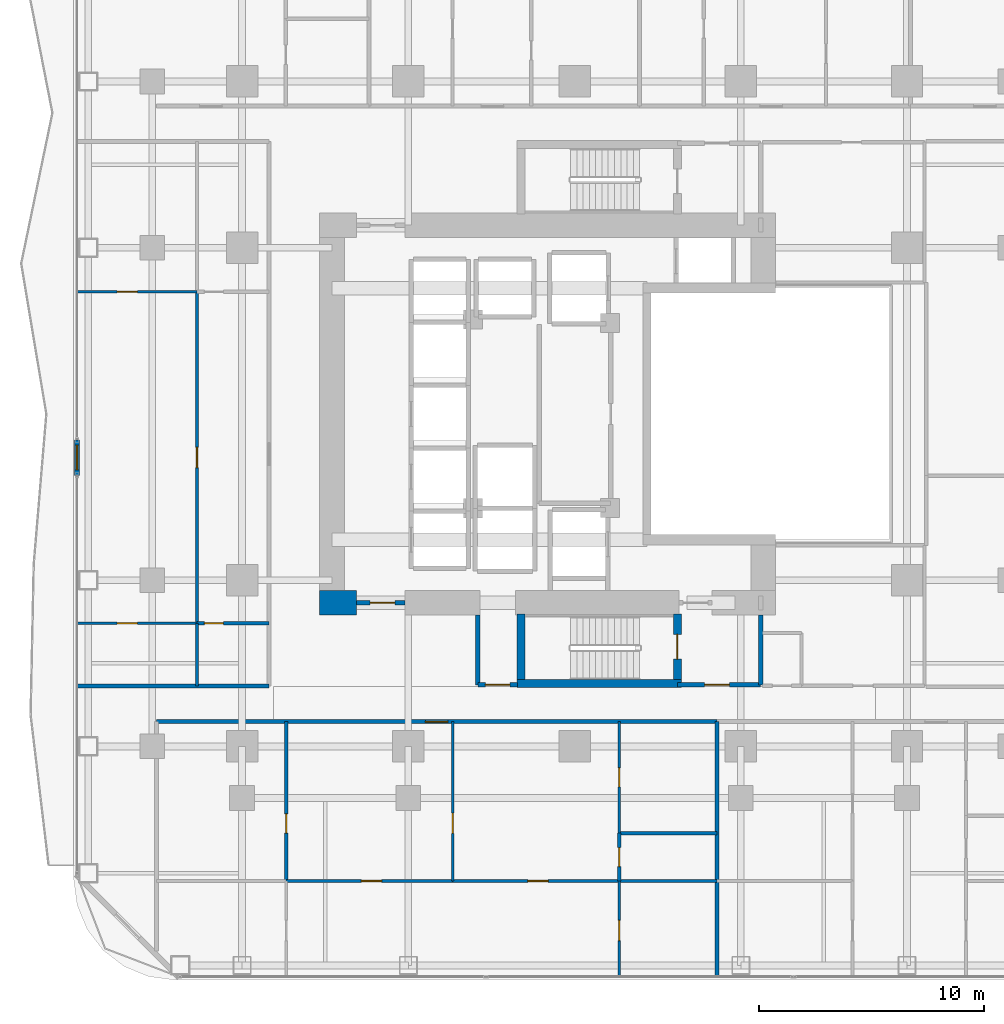
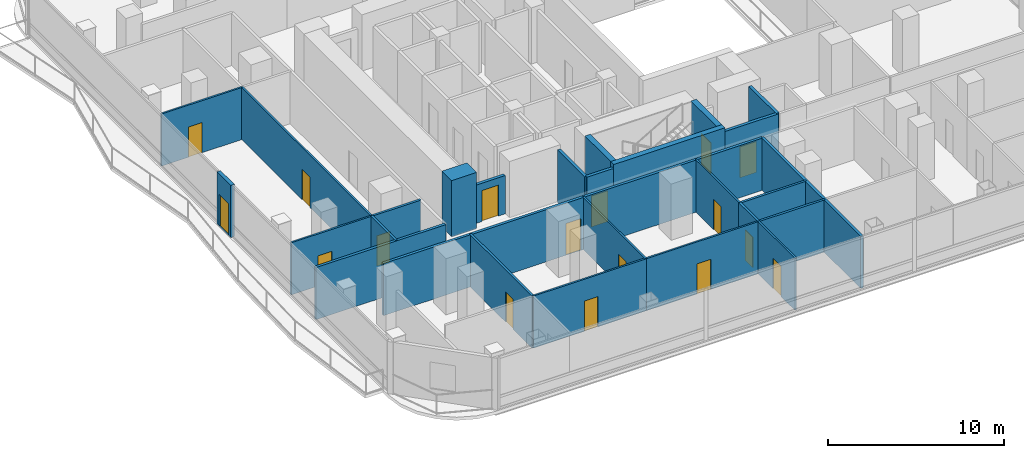
# One storey, part 20 of 27: 27 walls, 17 doors, 17 openings.
"""IFC4 building model written with IfcOpenShell, lengths in metres."""

from ifc_helpers import new_model, si_unit, direction, frame, frame_2d, origin, place, context, subcontext, project, spatial, rectangle, extrude, material, layer, layer_set, type_object, element, fill, save


model = new_model("IFC4")

# Units and contexts
model_context = context("Model", 3, precision=1e-05, world=origin(), true_north=direction((0.0, 1.0)))
body_context = subcontext(model_context, "Body", "Model", "MODEL_VIEW")
ifc_project = project(units=[si_unit("LENGTHUNIT", "METRE"), si_unit("AREAUNIT", "SQUARE_METRE"), si_unit("VOLUMEUNIT", "CUBIC_METRE"), si_unit("PLANEANGLEUNIT", "RADIAN"), si_unit("MASSUNIT", "GRAM", prefix="KILO")], contexts=[model_context])

# Site, building, storey
site_placement = place(None, origin())
site = spatial("IfcSite", under=ifc_project, at=site_placement, CompositionType="ELEMENT")
building_placement = place(site_placement, origin())
building = spatial("IfcBuilding", under=site, at=building_placement, Name="Khorvyn Point Tower", CompositionType="ELEMENT")
storey_placement = place(building_placement, frame((0.0, 0.0, 50.10009765625)))
storey = spatial("IfcBuildingStorey", under=building, at=storey_placement, Name="L13", CompositionType="ELEMENT", Elevation=50.10009765625)

# Wall, opening, door
ifc_material_1 = material(Name="Double acoustic gypsum on twin steel stud", Category="steel")
ifc_layer_1 = layer(ifc_material_1, 0.179931640625)
ifc_layer_set_1 = layer_set([ifc_layer_1], Name="Acoustic Double-Stud Apartment Demising Wall 180")
wall_type_1 = type_object("IfcWallType", Name="Acoustic Double-Stud Apartment Demising Wall 180", PredefinedType="PARTITIONING", material=ifc_layer_set_1)
wall_1_placement = place(storey_placement, frame((-18.6201171875, -13.699951171875, 0.0), z_axis=(0.0, 0.0, 1.0), x_axis=(1.0, 0.0, 0.0)))
wall_1 = element("IfcWall", 1, at=wall_1_placement, inside=storey, type_object=wall_type_1, Name="Wall", PredefinedType="PARTITIONING", context=body_context, shape_type="SweptSolid", body=[
    extrude(rectangle(XDim=24.963134765625, YDim=0.179931640625, at=frame_2d((12.4814453125, 0.0))), origin(), (0.0, 0.0, 1.0), 3.619873046875),
])
opening_1_placement = place(wall_1_placement, frame((11.9814453125, 0.0, 0.0)))
opening_1 = element("IfcOpeningElement", 2, at=opening_1_placement, cuts=wall_1, Name="Opening ID-AP60", PredefinedType="OPENING", context=body_context, shape_type="SweptSolid", body=[
    extrude(rectangle(XDim=1.0, YDim=2.199951171875, at=frame_2d((0.5, 1.10009765625))), frame((0.0, 0.099853515625, 0.0), z_axis=(0.0, -1.0, 0.0), x_axis=(1.0, 0.0, 0.0)), (0.0, 0.0, 1.0), 0.199951171875),
])
ifc_material_2 = material(Name="Engineered hardwood fire-rated leaf", Category="wood")
door_type_1 = type_object("IfcDoorType", Name="Acoustic Solid-Core Timber Apartment Entrance Door 1000x2200", OperationType="NOTDEFINED", PredefinedType="DOOR", material=ifc_material_2)
door_1_placement = place(opening_1_placement, origin())
door_1 = element("IfcDoor", 3, at=door_1_placement, inside=storey, type_object=door_type_1, Name="Door", OperationType="SINGLE_SWING_RIGHT", OverallHeight=2.199951171875, OverallWidth=1.0, PredefinedType="DOOR", context=body_context, shape_type="SweptSolid", body=[
    extrude(rectangle(XDim=1.0, YDim=2.199951171875, at=frame_2d((0.5, 1.10009765625))), frame((0.0, 0.02490234375, 0.0), z_axis=(0.0, -1.0, 0.0), x_axis=(1.0, 0.0, 0.0)), (0.0, 0.0, 1.0), 0.050048828125),
])
fill(opening_1, door_1)

# Walls
wall_2_placement = place(storey_placement, frame((6.343017578125, -25.030029296875, 0.0), z_axis=(0.0, 0.0, 1.0), x_axis=(0.0, 1.0, 0.0)))
element("IfcWall", 4, at=wall_2_placement, inside=storey, type_object=wall_type_1, Name="Wall", PredefinedType="PARTITIONING", context=body_context, shape_type="SweptSolid", body=[
    extrude(rectangle(XDim=11.330078125, YDim=0.179931640625, at=frame_2d((5.6650390625, 0.0))), origin(), (0.0, 0.0, 1.0), 3.619873046875),
])
wall_3_placement = place(storey_placement, frame((-22.1298828125, -12.1201171875, 0.0), z_axis=(0.0, 0.0, 1.0), x_axis=(1.0, 0.0, 0.0)))
element("IfcWall", 5, at=wall_3_placement, inside=storey, type_object=wall_type_1, Name="Wall", PredefinedType="PARTITIONING", context=body_context, shape_type="SweptSolid", body=[
    extrude(rectangle(XDim=8.52978515625, YDim=0.179931640625, at=frame_2d((4.264892578125, 0.0))), origin(), (0.0, 0.0, 1.0), 3.619873046875),
])

# Wall, opening, door
ifc_material_3 = material(Name="Pale anodised aluminium rainscreen on steel stud", Category="steel")
ifc_layer_2 = layer(ifc_material_3, 0.239990234375)
ifc_layer_set_2 = layer_set([ifc_layer_2], Name="Anodised Aluminium Insulated Corner Spandrel Wall 240")
wall_type_2 = type_object("IfcWallType", Name="Anodised Aluminium Insulated Corner Spandrel Wall 240", PredefinedType="SOLIDWALL", material=ifc_layer_set_2)
wall_4_placement = place(storey_placement, frame((-22.14990234375, -2.73193359375, 0.0), z_axis=(0.0, 0.0, 1.0), x_axis=(0.0, 1.0, 0.0)))
wall_4 = element("IfcWall", 6, at=wall_4_placement, inside=storey, type_object=wall_type_2, Name="L13 West Outdoor Threshold Wall", PredefinedType="SOLIDWALL", context=body_context, shape_type="SweptSolid", body=[
    extrude(rectangle(XDim=1.579833984375, YDim=0.239990234375, at=frame_2d((0.7900390625, 0.0))), origin(), (0.0, 0.0, 1.0), 3.619873046875),
])
opening_2_placement = place(wall_4_placement, frame((0.239990234375, 0.0, 0.0)))
opening_2 = element("IfcOpeningElement", 7, at=opening_2_placement, cuts=wall_4, Name="Opening BD-1122", PredefinedType="OPENING", context=body_context, shape_type="SweptSolid", body=[
    extrude(rectangle(XDim=1.10009765625, YDim=2.199951171875, at=frame_2d((0.550048828125, 1.10009765625))), frame((0.0, 0.1298828125, 0.0), z_axis=(0.0, -1.0, 0.0), x_axis=(1.0, 0.0, 0.0)), (0.0, 0.0, 1.0), 0.260009765625),
])
ifc_material_4 = material(Name="Anodised aluminium 6063-T6 and laminated Low-E glass", Category="aluminium")
door_type_2 = type_object("IfcDoorType", Name="Glazed Balcony and Terrace Threshold Door 1100x2200", OperationType="NOTDEFINED", PredefinedType="DOOR", material=ifc_material_4)
door_2_placement = place(opening_2_placement, origin())
door_2 = element("IfcDoor", 8, at=door_2_placement, inside=storey, type_object=door_type_2, Name="L13 West Glazed Balcony Outdoor Door", OperationType="SINGLE_SWING_RIGHT", OverallHeight=2.199951171875, OverallWidth=1.10009765625, PredefinedType="DOOR", context=body_context, shape_type="SweptSolid", body=[
    extrude(rectangle(XDim=1.10009765625, YDim=2.199951171875, at=frame_2d((0.550048828125, 1.10009765625))), frame((0.0, 0.02490234375, 0.0), z_axis=(0.0, -1.0, 0.0), x_axis=(1.0, 0.0, 0.0)), (0.0, 0.0, 1.0), 0.050048828125),
])
fill(opening_2, door_2)

ifc_material_5 = material(Name="Concrete C40/50", Category="concrete")
ifc_layer_3 = layer(ifc_material_5, 0.199951171875)
ifc_layer_set_3 = layer_set([ifc_layer_3], Name="Concrete C40/50 Fire-Lobby Compartment Wall 200")
wall_type_3 = type_object("IfcWallType", Name="Concrete C40/50 Fire-Lobby Compartment Wall 200", PredefinedType="SOLIDWALL", material=ifc_layer_set_3)
wall_5_placement = place(storey_placement, frame((4.580078125, -12.06005859375, 0.0), z_axis=(0.0, 0.0, 1.0), x_axis=(1.0, 0.0, 0.0)))
wall_5 = element("IfcWall", 9, at=wall_5_placement, inside=storey, type_object=wall_type_3, Name="Wall", PredefinedType="SOLIDWALL", context=body_context, shape_type="SweptSolid", body=[
    extrude(rectangle(XDim=3.699951171875, YDim=0.199951171875, at=frame_2d((1.85009765625, 0.0))), origin(), (0.0, 0.0, 1.0), 3.619873046875),
])
opening_3_placement = place(wall_5_placement, frame((1.21240234375, 0.0, 0.0)))
opening_3 = element("IfcOpeningElement", 10, at=opening_3_placement, cuts=wall_5, Name="Opening ID-FL90", PredefinedType="OPENING", context=body_context, shape_type="SweptSolid", body=[
    extrude(rectangle(XDim=1.10009765625, YDim=2.14990234375, at=frame_2d((0.550048828125, 1.074951171875))), frame((0.0, 0.10986328125, 0.0), z_axis=(0.0, -1.0, 0.0), x_axis=(1.0, 0.0, 0.0)), (0.0, 0.0, 1.0), 0.219970703125),
])
ifc_material_6 = material(Name="Galvanised powder-coated steel", Category="steel")
door_type_3 = type_object("IfcDoorType", Name="Fire-Rated Steel Lobby and Stair Door 1100x2150", OperationType="NOTDEFINED", PredefinedType="DOOR", material=ifc_material_6)
door_3_placement = place(opening_3_placement, origin())
door_3 = element("IfcDoor", 11, at=door_3_placement, inside=storey, type_object=door_type_3, Name="Door", OperationType="SINGLE_SWING_RIGHT", OverallHeight=2.14990234375, OverallWidth=1.10009765625, PredefinedType="DOOR", context=body_context, shape_type="SweptSolid", body=[
    extrude(rectangle(XDim=1.10009765625, YDim=2.14990234375, at=frame_2d((0.550048828125, 1.074951171875))), frame((0.0, 0.02490234375, 0.0), z_axis=(0.0, -1.0, 0.0), x_axis=(1.0, 0.0, 0.0)), (0.0, 0.0, 1.0), 0.050048828125),
])
fill(opening_3, door_3)

wall_6_placement = place(storey_placement, frame((-9.699951171875, -8.39990234375, 0.0), z_axis=(0.0, 0.0, 1.0), x_axis=(1.0, 0.0, 0.0)))
wall_6 = element("IfcWall", 12, at=wall_6_placement, inside=storey, type_object=wall_type_3, Name="Wall", PredefinedType="SOLIDWALL", context=body_context, shape_type="SweptSolid", body=[
    extrude(rectangle(XDim=2.14990234375, YDim=0.199951171875, at=frame_2d((1.074951171875, 0.0))), origin(), (0.0, 0.0, 1.0), 2.659912109375),
])
opening_4_placement = place(wall_6_placement, frame((0.597900390625, 0.0, 0.0)))
opening_4 = element("IfcOpeningElement", 13, at=opening_4_placement, cuts=wall_6, Name="Opening ID-FL90", PredefinedType="OPENING", context=body_context, shape_type="SweptSolid", body=[
    extrude(rectangle(XDim=1.10009765625, YDim=2.14990234375, at=frame_2d((0.550048828125, 1.074951171875))), frame((0.0, 0.10986328125, 0.0), z_axis=(0.0, -1.0, 0.0), x_axis=(1.0, 0.0, 0.0)), (0.0, 0.0, 1.0), 0.219970703125),
])
door_4_placement = place(opening_4_placement, origin())
door_4 = element("IfcDoor", 14, at=door_4_placement, inside=storey, type_object=door_type_3, Name="Door", OperationType="SINGLE_SWING_LEFT", OverallHeight=2.14990234375, OverallWidth=1.10009765625, PredefinedType="DOOR", context=body_context, shape_type="SweptSolid", body=[
    extrude(rectangle(XDim=1.10009765625, YDim=2.14990234375, at=frame_2d((0.550048828125, 1.074951171875))), frame((0.0, 0.02490234375, 0.0), z_axis=(0.0, -1.0, 0.0), x_axis=(1.0, 0.0, 0.0)), (0.0, 0.0, 1.0), 0.050048828125),
])
fill(opening_4, door_4)

wall_7_placement = place(storey_placement, frame((-4.300048828125, -12.06005859375, 0.0), z_axis=(0.0, 0.0, 1.0), x_axis=(1.0, 0.0, 0.0)))
wall_7 = element("IfcWall", 15, at=wall_7_placement, inside=storey, type_object=wall_type_3, Name="Wall", PredefinedType="SOLIDWALL", context=body_context, shape_type="SweptSolid", body=[
    extrude(rectangle(XDim=1.75, YDim=0.199951171875, at=frame_2d((0.875, 0.0))), origin(), (0.0, 0.0, 1.0), 3.619873046875),
])
opening_5_placement = place(wall_7_placement, frame((0.324951171875, 0.0, 0.0)))
opening_5 = element("IfcOpeningElement", 16, at=opening_5_placement, cuts=wall_7, Name="Opening ID-FL90", PredefinedType="OPENING", context=body_context, shape_type="SweptSolid", body=[
    extrude(rectangle(XDim=1.10009765625, YDim=2.14990234375, at=frame_2d((0.550048828125, 1.074951171875))), frame((0.0, 0.10986328125, 0.0), z_axis=(0.0, -1.0, 0.0), x_axis=(1.0, 0.0, 0.0)), (0.0, 0.0, 1.0), 0.219970703125),
])
door_5_placement = place(opening_5_placement, origin())
door_5 = element("IfcDoor", 17, at=door_5_placement, inside=storey, type_object=door_type_3, Name="Door", OperationType="SINGLE_SWING_LEFT", OverallHeight=2.14990234375, OverallWidth=1.10009765625, PredefinedType="DOOR", context=body_context, shape_type="SweptSolid", body=[
    extrude(rectangle(XDim=1.10009765625, YDim=2.14990234375, at=frame_2d((0.550048828125, 1.074951171875))), frame((0.0, 0.02490234375, 0.0), z_axis=(0.0, -1.0, 0.0), x_axis=(1.0, 0.0, 0.0)), (0.0, 0.0, 1.0), 0.050048828125),
])
fill(opening_5, door_5)

# Walls
for number, where, z_axis, x_axis, name in (
    (18, (8.280029296875, -12.06005859375, 0.0), (0.0, 0.0, 1.0), (0.0, 1.0, 0.0), "Wall"),
    (19, (-4.300048828125, -12.06005859375, 0.0), (0.0, 0.0, 1.0), (0.0, 1.0, 0.0), "Wall"),
):
    element("IfcWall", number, at=place(storey_placement, frame(where, z_axis=z_axis, x_axis=x_axis)), inside=storey, type_object=wall_type_3, Name=name, PredefinedType="SOLIDWALL", context=body_context, shape_type="SweptSolid", body=[
        extrude(rectangle(XDim=3.110107421875, YDim=0.199951171875, at=frame_2d((1.55517578125, 0.0))), origin(), (0.0, 0.0, 1.0), 3.619873046875),
    ])
ifc_layer_4 = layer(ifc_material_5, 0.35009765625)
ifc_layer_set_4 = layer_set([ifc_layer_4], Name="Concrete C40/50 Stair Shaft Structural Wall 350")
wall_type_4 = type_object("IfcWallType", Name="Concrete C40/50 Stair Shaft Structural Wall 350", PredefinedType="SHEAR", material=ifc_layer_set_4)
wall_8_placement = place(storey_placement, frame((-2.554931640625, -12.0, 0.0), z_axis=(0.0, 0.0, 1.0), x_axis=(1.0, 0.0, 0.0)))
element("IfcWall", 20, at=wall_8_placement, inside=storey, type_object=wall_type_4, Name="L13 ST-01 South Shaft Wall", PredefinedType="SHEAR", context=body_context, shape_type="SweptSolid", body=[
    extrude(rectangle(XDim=7.309814453125, YDim=0.35009765625, at=frame_2d((3.65478515625, 0.0))), origin(), (0.0, 0.0, 1.0), 3.89990234375),
])
wall_9_placement = place(storey_placement, frame((-2.3798828125, -11.824951171875, 0.0), z_axis=(0.0, 0.0, 1.0), x_axis=(0.0, 1.0, 0.0)))
element("IfcWall", 21, at=wall_9_placement, inside=storey, type_object=wall_type_4, Name="L13 ST-01 West Shaft Wall", PredefinedType="SHEAR", context=body_context, shape_type="SweptSolid", body=[
    extrude(rectangle(XDim=2.925048828125, YDim=0.35009765625, at=frame_2d((1.46240234375, 0.0))), origin(), (0.0, 0.0, 1.0), 3.89990234375),
])

# Wall, opening, door
wall_10_placement = place(storey_placement, frame((4.580078125, -8.89990234375, 0.0), z_axis=(0.0, 0.0, 1.0), x_axis=(0.0, -1.0, 0.0)))
wall_10 = element("IfcWall", 22, at=wall_10_placement, inside=storey, type_object=wall_type_4, Name="L13 ST-01 East Landing Door Wall", PredefinedType="SHEAR", context=body_context, shape_type="SweptSolid", body=[
    extrude(rectangle(XDim=2.925048828125, YDim=0.35009765625, at=frame_2d((1.46240234375, 0.0))), origin(), (0.0, 0.0, 1.0), 3.89990234375),
])
opening_6_placement = place(wall_10_placement, frame((0.91259765625, 0.0, 0.0)))
opening_6 = element("IfcOpeningElement", 23, at=opening_6_placement, cuts=wall_10, Name="Opening ID-FL90", PredefinedType="OPENING", context=body_context, shape_type="SweptSolid", body=[
    extrude(rectangle(XDim=1.10009765625, YDim=2.14990234375, at=frame_2d((0.550048828125, 1.074951171875))), frame((0.0, 0.18505859375, 0.0), z_axis=(0.0, -1.0, 0.0), x_axis=(1.0, 0.0, 0.0)), (0.0, 0.0, 1.0), 0.3701171875),
])
door_6_placement = place(opening_6_placement, origin())
door_6 = element("IfcDoor", 24, at=door_6_placement, inside=storey, type_object=door_type_3, Name="L13 ST-01 Smokeproof Landing Door", OperationType="SINGLE_SWING_LEFT", OverallHeight=2.14990234375, OverallWidth=1.10009765625, PredefinedType="DOOR", context=body_context, shape_type="SweptSolid", body=[
    extrude(rectangle(XDim=1.10009765625, YDim=2.14990234375, at=frame_2d((0.550048828125, 1.074951171875))), frame((0.0, 0.02490234375, 0.0), z_axis=(0.0, -1.0, 0.0), x_axis=(1.0, 0.0, 0.0)), (0.0, 0.0, 1.0), 0.050048828125),
])
fill(opening_6, door_6)

# Wall
ifc_material_7 = material(Name="Concrete C50/60", Category="concrete")
ifc_layer_5 = layer(ifc_material_7, 1.10009765625)
ifc_layer_set_5 = layer_set([ifc_layer_5], Name="Concrete C50/60 Core Shear Wall 1100")
wall_type_5 = type_object("IfcWallType", Name="Concrete C50/60 Core Shear Wall 1100", PredefinedType="SHEAR", material=ifc_layer_set_5)
wall_11_placement = place(storey_placement, frame((-11.35009765625, -8.39990234375, 0.0), z_axis=(0.0, 0.0, 1.0), x_axis=(1.0, 0.0, 0.0)))
element("IfcWall", 25, at=wall_11_placement, inside=storey, type_object=wall_type_5, Name="Wall", PredefinedType="SHEAR", context=body_context, shape_type="SweptSolid", body=[
    extrude(rectangle(XDim=1.650146484375, YDim=1.10009765625, at=frame_2d((0.8251953125, 0.0))), origin(), (0.0, 0.0, 1.0), 3.89990234375),
])

# Wall, opening, door
ifc_material_8 = material(Name="Gypsum plasterboard on steel stud", Category="steel")
ifc_layer_6 = layer(ifc_material_8, 0.1201171875)
ifc_layer_set_6 = layer_set([ifc_layer_6], Name="Gypsum Acoustic Stud Room Partition Wall 120")
wall_type_6 = type_object("IfcWallType", Name="Gypsum Acoustic Stud Room Partition Wall 120", PredefinedType="PARTITIONING", material=ifc_layer_set_6)
wall_12_placement = place(storey_placement, frame((-12.8369140625, -20.7900390625, 0.0), z_axis=(0.0, 0.0, 1.0), x_axis=(1.0, 0.0, 0.0)))
wall_12 = element("IfcWall", 26, at=wall_12_placement, inside=storey, type_object=wall_type_6, Name="Wall", PredefinedType="PARTITIONING", context=body_context, shape_type="SweptSolid", body=[
    extrude(rectangle(XDim=7.411865234375, YDim=0.1201171875, at=frame_2d((3.7060546875, 0.0))), origin(), (0.0, 0.0, 1.0), 3.619873046875),
])
opening_7_placement = place(wall_12_placement, frame((3.344482421875, 0.0, 0.0)))
opening_7 = element("IfcOpeningElement", 27, at=opening_7_placement, cuts=wall_12, Name="Opening ID-RM90", PredefinedType="OPENING", context=body_context, shape_type="SweptSolid", body=[
    extrude(rectangle(XDim=0.89990234375, YDim=2.10009765625, at=frame_2d((0.449951171875, 1.050048828125))), frame((0.0, 0.070068359375, 0.0), z_axis=(0.0, -1.0, 0.0), x_axis=(1.0, 0.0, 0.0)), (0.0, 0.0, 1.0), 0.14013671875),
])
ifc_material_9 = material(Name="Engineered oak veneer timber", Category="wood")
door_type_4 = type_object("IfcDoorType", Name="Flush Engineered Timber Room Door 900x2100", OperationType="NOTDEFINED", PredefinedType="DOOR", material=ifc_material_9)
door_7_placement = place(opening_7_placement, origin())
door_7 = element("IfcDoor", 28, at=door_7_placement, inside=storey, type_object=door_type_4, Name="Door", OperationType="SINGLE_SWING_LEFT", OverallHeight=2.10009765625, OverallWidth=0.89990234375, PredefinedType="DOOR", context=body_context, shape_type="SweptSolid", body=[
    extrude(rectangle(XDim=0.89990234375, YDim=2.10009765625, at=frame_2d((0.449951171875, 1.050048828125))), frame((0.0, 0.02490234375, 0.0), z_axis=(0.0, -1.0, 0.0), x_axis=(1.0, 0.0, 0.0)), (0.0, 0.0, 1.0), 0.050048828125),
])
fill(opening_7, door_7)

wall_13_placement = place(storey_placement, frame((-5.425048828125, -20.7900390625, 0.0), z_axis=(0.0, 0.0, 1.0), x_axis=(1.0, 0.0, 0.0)))
wall_13 = element("IfcWall", 29, at=wall_13_placement, inside=storey, type_object=wall_type_6, Name="Wall", PredefinedType="PARTITIONING", context=body_context, shape_type="SweptSolid", body=[
    extrude(rectangle(XDim=7.412109375, YDim=0.1201171875, at=frame_2d((3.7060546875, 0.0))), origin(), (0.0, 0.0, 1.0), 3.619873046875),
])
opening_8_placement = place(wall_13_placement, frame((3.344482421875, 0.0, 0.0)))
opening_8 = element("IfcOpeningElement", 30, at=opening_8_placement, cuts=wall_13, Name="Opening ID-RM90", PredefinedType="OPENING", context=body_context, shape_type="SweptSolid", body=[
    extrude(rectangle(XDim=0.89990234375, YDim=2.10009765625, at=frame_2d((0.449951171875, 1.050048828125))), frame((0.0, 0.070068359375, 0.0), z_axis=(0.0, -1.0, 0.0), x_axis=(1.0, 0.0, 0.0)), (0.0, 0.0, 1.0), 0.14013671875),
])
door_8_placement = place(opening_8_placement, origin())
door_8 = element("IfcDoor", 31, at=door_8_placement, inside=storey, type_object=door_type_4, Name="Door", OperationType="SINGLE_SWING_RIGHT", OverallHeight=2.10009765625, OverallWidth=0.89990234375, PredefinedType="DOOR", context=body_context, shape_type="SweptSolid", body=[
    extrude(rectangle(XDim=0.89990234375, YDim=2.10009765625, at=frame_2d((0.449951171875, 1.050048828125))), frame((0.0, 0.02490234375, 0.0), z_axis=(0.0, -1.0, 0.0), x_axis=(1.0, 0.0, 0.0)), (0.0, 0.0, 1.0), 0.050048828125),
])
fill(opening_8, door_8)

wall_14_placement = place(storey_placement, frame((-5.425048828125, -20.7900390625, 0.0), z_axis=(0.0, 0.0, 1.0), x_axis=(0.0, 1.0, 0.0)))
wall_14 = element("IfcWall", 32, at=wall_14_placement, inside=storey, type_object=wall_type_6, Name="Wall", PredefinedType="PARTITIONING", context=body_context, shape_type="SweptSolid", body=[
    extrude(rectangle(XDim=7.090087890625, YDim=0.1201171875, at=frame_2d((3.544921875, 0.0))), origin(), (0.0, 0.0, 1.0), 3.619873046875),
])
opening_9_placement = place(wall_14_placement, frame((2.11669921875, 0.0, 0.0)))
opening_9 = element("IfcOpeningElement", 33, at=opening_9_placement, cuts=wall_14, Name="Opening ID-RM90", PredefinedType="OPENING", context=body_context, shape_type="SweptSolid", body=[
    extrude(rectangle(XDim=0.89990234375, YDim=2.10009765625, at=frame_2d((0.449951171875, 1.050048828125))), frame((0.0, 0.070068359375, 0.0), z_axis=(0.0, -1.0, 0.0), x_axis=(1.0, 0.0, 0.0)), (0.0, 0.0, 1.0), 0.14013671875),
])
door_9_placement = place(opening_9_placement, origin())
door_9 = element("IfcDoor", 34, at=door_9_placement, inside=storey, type_object=door_type_4, Name="Door", OperationType="SINGLE_SWING_LEFT", OverallHeight=2.10009765625, OverallWidth=0.89990234375, PredefinedType="DOOR", context=body_context, shape_type="SweptSolid", body=[
    extrude(rectangle(XDim=0.89990234375, YDim=2.10009765625, at=frame_2d((0.449951171875, 1.050048828125))), frame((0.0, 0.02490234375, 0.0), z_axis=(0.0, -1.0, 0.0), x_axis=(1.0, 0.0, 0.0)), (0.0, 0.0, 1.0), 0.050048828125),
])
fill(opening_9, door_9)

wall_15_placement = place(storey_placement, frame((1.987060546875, -18.6630859375, 0.0), z_axis=(0.0, 0.0, 1.0), x_axis=(0.0, 1.0, 0.0)))
wall_15 = element("IfcWall", 35, at=wall_15_placement, inside=storey, type_object=wall_type_6, Name="Wall", PredefinedType="PARTITIONING", context=body_context, shape_type="SweptSolid", body=[
    extrude(rectangle(XDim=4.963134765625, YDim=0.1201171875, at=frame_2d((2.4814453125, 0.0))), origin(), (0.0, 0.0, 1.0), 3.619873046875),
])
opening_10_placement = place(wall_15_placement, frame((2.056396484375, 0.0, 0.0)))
opening_10 = element("IfcOpeningElement", 36, at=opening_10_placement, cuts=wall_15, Name="Opening ID-WC85", PredefinedType="OPENING", context=body_context, shape_type="SweptSolid", body=[
    extrude(rectangle(XDim=0.85009765625, YDim=2.10009765625, at=frame_2d((0.425048828125, 1.050048828125))), frame((0.0, 0.070068359375, 0.0), z_axis=(0.0, -1.0, 0.0), x_axis=(1.0, 0.0, 0.0)), (0.0, 0.0, 1.0), 0.14013671875),
])
ifc_material_10 = material(Name="High-pressure laminate on moisture-resistant core", Category="wood")
door_type_5 = type_object("IfcDoorType", Name="Moisture-Resistant Accessible Washroom Door 850x2100", OperationType="NOTDEFINED", PredefinedType="DOOR", material=ifc_material_10)
door_10_placement = place(opening_10_placement, origin())
door_10 = element("IfcDoor", 37, at=door_10_placement, inside=storey, type_object=door_type_5, Name="Door", OperationType="SINGLE_SWING_LEFT", OverallHeight=2.10009765625, OverallWidth=0.85009765625, PredefinedType="DOOR", context=body_context, shape_type="SweptSolid", body=[
    extrude(rectangle(XDim=0.85009765625, YDim=2.10009765625, at=frame_2d((0.425048828125, 1.050048828125))), frame((0.0, 0.02490234375, 0.0), z_axis=(0.0, -1.0, 0.0), x_axis=(1.0, 0.0, 0.0)), (0.0, 0.0, 1.0), 0.050048828125),
])
fill(opening_10, door_10)

wall_16_placement = place(storey_placement, frame((1.987060546875, -25.030029296875, 0.0), z_axis=(0.0, 0.0, 1.0), x_axis=(0.0, 1.0, 0.0)))
wall_16 = element("IfcWall", 38, at=wall_16_placement, inside=storey, type_object=wall_type_6, Name="Wall", PredefinedType="PARTITIONING", context=body_context, shape_type="SweptSolid", body=[
    extrude(rectangle(XDim=4.239990234375, YDim=0.1201171875, at=frame_2d((2.1201171875, 0.0))), origin(), (0.0, 0.0, 1.0), 3.619873046875),
])
opening_11_placement = place(wall_16_placement, frame((1.581298828125, 0.0, 0.0)))
opening_11 = element("IfcOpeningElement", 39, at=opening_11_placement, cuts=wall_16, Name="Opening ID-RM90", PredefinedType="OPENING", context=body_context, shape_type="SweptSolid", body=[
    extrude(rectangle(XDim=0.89990234375, YDim=2.10009765625, at=frame_2d((0.449951171875, 1.050048828125))), frame((0.0, 0.070068359375, 0.0), z_axis=(0.0, -1.0, 0.0), x_axis=(1.0, 0.0, 0.0)), (0.0, 0.0, 1.0), 0.14013671875),
])
door_11_placement = place(opening_11_placement, origin())
door_11 = element("IfcDoor", 40, at=door_11_placement, inside=storey, type_object=door_type_4, Name="Door", OperationType="SINGLE_SWING_RIGHT", OverallHeight=2.10009765625, OverallWidth=0.89990234375, PredefinedType="DOOR", context=body_context, shape_type="SweptSolid", body=[
    extrude(rectangle(XDim=0.89990234375, YDim=2.10009765625, at=frame_2d((0.449951171875, 1.050048828125))), frame((0.0, 0.02490234375, 0.0), z_axis=(0.0, -1.0, 0.0), x_axis=(1.0, 0.0, 0.0)), (0.0, 0.0, 1.0), 0.050048828125),
])
fill(opening_11, door_11)

wall_17_placement = place(storey_placement, frame((-16.80810546875, -9.320068359375, 0.0), z_axis=(0.0, 0.0, 1.0), x_axis=(0.0, 1.0, 0.0)))
wall_17 = element("IfcWall", 41, at=wall_17_placement, inside=storey, type_object=wall_type_6, Name="Wall", PredefinedType="PARTITIONING", context=body_context, shape_type="SweptSolid", body=[
    extrude(rectangle(XDim=14.756103515625, YDim=0.1201171875, at=frame_2d((7.3779296875, 0.0))), origin(), (0.0, 0.0, 1.0), 3.619873046875),
])
opening_12_placement = place(wall_17_placement, frame((6.927978515625, 0.0, 0.0)))
opening_12 = element("IfcOpeningElement", 42, at=opening_12_placement, cuts=wall_17, Name="Opening ID-RM90", PredefinedType="OPENING", context=body_context, shape_type="SweptSolid", body=[
    extrude(rectangle(XDim=0.89990234375, YDim=2.10009765625, at=frame_2d((0.449951171875, 1.050048828125))), frame((0.0, 0.070068359375, 0.0), z_axis=(0.0, -1.0, 0.0), x_axis=(1.0, 0.0, 0.0)), (0.0, 0.0, 1.0), 0.14013671875),
])
door_12_placement = place(opening_12_placement, origin())
door_12 = element("IfcDoor", 43, at=door_12_placement, inside=storey, type_object=door_type_4, Name="Door", OperationType="SINGLE_SWING_RIGHT", OverallHeight=2.10009765625, OverallWidth=0.89990234375, PredefinedType="DOOR", context=body_context, shape_type="SweptSolid", body=[
    extrude(rectangle(XDim=0.89990234375, YDim=2.10009765625, at=frame_2d((0.449951171875, 1.050048828125))), frame((0.0, 0.02490234375, 0.0), z_axis=(0.0, -1.0, 0.0), x_axis=(1.0, 0.0, 0.0)), (0.0, 0.0, 1.0), 0.050048828125),
])
fill(opening_12, door_12)

wall_18_placement = place(storey_placement, frame((-22.1298828125, -9.320068359375, 0.0), z_axis=(0.0, 0.0, 1.0), x_axis=(1.0, 0.0, 0.0)))
wall_18 = element("IfcWall", 44, at=wall_18_placement, inside=storey, type_object=wall_type_6, Name="Wall", PredefinedType="PARTITIONING", context=body_context, shape_type="SweptSolid", body=[
    extrude(rectangle(XDim=5.32177734375, YDim=0.1201171875, at=frame_2d((2.660888671875, 0.0))), origin(), (0.0, 0.0, 1.0), 3.619873046875),
])
opening_13_placement = place(wall_18_placement, frame((1.76513671875, 0.0, 0.0)))
opening_13 = element("IfcOpeningElement", 45, at=opening_13_placement, cuts=wall_18, Name="Opening ID-RM90", PredefinedType="OPENING", context=body_context, shape_type="SweptSolid", body=[
    extrude(rectangle(XDim=0.89990234375, YDim=2.10009765625, at=frame_2d((0.449951171875, 1.050048828125))), frame((0.0, 0.070068359375, 0.0), z_axis=(0.0, -1.0, 0.0), x_axis=(1.0, 0.0, 0.0)), (0.0, 0.0, 1.0), 0.14013671875),
])
door_13_placement = place(opening_13_placement, origin())
door_13 = element("IfcDoor", 46, at=door_13_placement, inside=storey, type_object=door_type_4, Name="Door", OperationType="SINGLE_SWING_LEFT", OverallHeight=2.10009765625, OverallWidth=0.89990234375, PredefinedType="DOOR", context=body_context, shape_type="SweptSolid", body=[
    extrude(rectangle(XDim=0.89990234375, YDim=2.10009765625, at=frame_2d((0.449951171875, 1.050048828125))), frame((0.0, 0.02490234375, 0.0), z_axis=(0.0, -1.0, 0.0), x_axis=(1.0, 0.0, 0.0)), (0.0, 0.0, 1.0), 0.050048828125),
])
fill(opening_13, door_13)

wall_19_placement = place(storey_placement, frame((-22.1298828125, 5.43603515625, 0.0), z_axis=(0.0, 0.0, 1.0), x_axis=(1.0, 0.0, 0.0)))
wall_19 = element("IfcWall", 47, at=wall_19_placement, inside=storey, type_object=wall_type_6, Name="Wall", PredefinedType="PARTITIONING", context=body_context, shape_type="SweptSolid", body=[
    extrude(rectangle(XDim=5.32177734375, YDim=0.1201171875, at=frame_2d((2.660888671875, 0.0))), origin(), (0.0, 0.0, 1.0), 3.619873046875),
])
opening_14_placement = place(wall_19_placement, frame((1.76513671875, 0.0, 0.0)))
opening_14 = element("IfcOpeningElement", 48, at=opening_14_placement, cuts=wall_19, Name="Opening ID-RM90", PredefinedType="OPENING", context=body_context, shape_type="SweptSolid", body=[
    extrude(rectangle(XDim=0.89990234375, YDim=2.10009765625, at=frame_2d((0.449951171875, 1.050048828125))), frame((0.0, 0.070068359375, 0.0), z_axis=(0.0, -1.0, 0.0), x_axis=(1.0, 0.0, 0.0)), (0.0, 0.0, 1.0), 0.14013671875),
])
door_14_placement = place(opening_14_placement, origin())
door_14 = element("IfcDoor", 49, at=door_14_placement, inside=storey, type_object=door_type_4, Name="Door", OperationType="SINGLE_SWING_RIGHT", OverallHeight=2.10009765625, OverallWidth=0.89990234375, PredefinedType="DOOR", context=body_context, shape_type="SweptSolid", body=[
    extrude(rectangle(XDim=0.89990234375, YDim=2.10009765625, at=frame_2d((0.449951171875, 1.050048828125))), frame((0.0, 0.02490234375, 0.0), z_axis=(0.0, -1.0, 0.0), x_axis=(1.0, 0.0, 0.0)), (0.0, 0.0, 1.0), 0.050048828125),
])
fill(opening_14, door_14)

ifc_material_11 = material(Name="Moisture-resistant gypsum and cement board", Category="gypsum")
ifc_layer_7 = layer(ifc_material_11, 0.14990234375)
ifc_layer_set_7 = layer_set([ifc_layer_7], Name="Moisture-Resistant Wet-Room Partition Wall 150")
wall_type_7 = type_object("IfcWallType", Name="Moisture-Resistant Wet-Room Partition Wall 150", PredefinedType="PARTITIONING", material=ifc_layer_set_7)
wall_20_placement = place(storey_placement, frame((-12.8369140625, -20.7900390625, 0.0), z_axis=(0.0, 0.0, 1.0), x_axis=(0.0, 1.0, 0.0)))
wall_20 = element("IfcWall", 50, at=wall_20_placement, inside=storey, type_object=wall_type_7, Name="Wall", PredefinedType="PARTITIONING", context=body_context, shape_type="SweptSolid", body=[
    extrude(rectangle(XDim=7.090087890625, YDim=0.14990234375, at=frame_2d((3.544921875, 0.0))), origin(), (0.0, 0.0, 1.0), 3.619873046875),
])
opening_15_placement = place(wall_20_placement, frame((2.13330078125, 0.0, 0.0)))
opening_15 = element("IfcOpeningElement", 51, at=opening_15_placement, cuts=wall_20, Name="Opening ID-WC85", PredefinedType="OPENING", context=body_context, shape_type="SweptSolid", body=[
    extrude(rectangle(XDim=0.85009765625, YDim=2.10009765625, at=frame_2d((0.425048828125, 1.050048828125))), frame((0.0, 0.0849609375, 0.0), z_axis=(0.0, -1.0, 0.0), x_axis=(1.0, 0.0, 0.0)), (0.0, 0.0, 1.0), 0.169921875),
])
door_15_placement = place(opening_15_placement, origin())
door_15 = element("IfcDoor", 52, at=door_15_placement, inside=storey, type_object=door_type_5, Name="Door", OperationType="SINGLE_SWING_RIGHT", OverallHeight=2.10009765625, OverallWidth=0.85009765625, PredefinedType="DOOR", context=body_context, shape_type="SweptSolid", body=[
    extrude(rectangle(XDim=0.85009765625, YDim=2.10009765625, at=frame_2d((0.425048828125, 1.050048828125))), frame((0.0, 0.02490234375, 0.0), z_axis=(0.0, -1.0, 0.0), x_axis=(1.0, 0.0, 0.0)), (0.0, 0.0, 1.0), 0.050048828125),
])
fill(opening_15, door_15)

wall_21_placement = place(storey_placement, frame((1.987060546875, -20.7900390625, 0.0), z_axis=(0.0, 0.0, 1.0), x_axis=(0.0, 1.0, 0.0)))
wall_21 = element("IfcWall", 53, at=wall_21_placement, inside=storey, type_object=wall_type_7, Name="Wall", PredefinedType="PARTITIONING", context=body_context, shape_type="SweptSolid", body=[
    extrude(rectangle(XDim=2.126953125, YDim=0.14990234375, at=frame_2d((1.0634765625, 0.0))), origin(), (0.0, 0.0, 1.0), 3.619873046875),
])
opening_16_placement = place(wall_21_placement, frame((0.638427734375, 0.0, 0.0)))
opening_16 = element("IfcOpeningElement", 54, at=opening_16_placement, cuts=wall_21, Name="Opening ID-WC85", PredefinedType="OPENING", context=body_context, shape_type="SweptSolid", body=[
    extrude(rectangle(XDim=0.85009765625, YDim=2.10009765625, at=frame_2d((0.425048828125, 1.050048828125))), frame((0.0, 0.0849609375, 0.0), z_axis=(0.0, -1.0, 0.0), x_axis=(1.0, 0.0, 0.0)), (0.0, 0.0, 1.0), 0.169921875),
])
door_16_placement = place(opening_16_placement, origin())
door_16 = element("IfcDoor", 55, at=door_16_placement, inside=storey, type_object=door_type_5, Name="Door", OperationType="SINGLE_SWING_RIGHT", OverallHeight=2.10009765625, OverallWidth=0.85009765625, PredefinedType="DOOR", context=body_context, shape_type="SweptSolid", body=[
    extrude(rectangle(XDim=0.85009765625, YDim=2.10009765625, at=frame_2d((0.425048828125, 1.050048828125))), frame((0.0, 0.02490234375, 0.0), z_axis=(0.0, -1.0, 0.0), x_axis=(1.0, 0.0, 0.0)), (0.0, 0.0, 1.0), 0.050048828125),
])
fill(opening_16, door_16)

wall_22_placement = place(storey_placement, frame((-16.80810546875, -9.320068359375, 0.0), z_axis=(0.0, 0.0, 1.0), x_axis=(1.0, 0.0, 0.0)))
wall_22 = element("IfcWall", 56, at=wall_22_placement, inside=storey, type_object=wall_type_7, Name="Wall", PredefinedType="PARTITIONING", context=body_context, shape_type="SweptSolid", body=[
    extrude(rectangle(XDim=3.2080078125, YDim=0.14990234375, at=frame_2d((1.60400390625, 0.0))), origin(), (0.0, 0.0, 1.0), 3.619873046875),
])
opening_17_placement = place(wall_22_placement, frame((0.329833984375, 0.0, 0.0)))
opening_17 = element("IfcOpeningElement", 57, at=opening_17_placement, cuts=wall_22, Name="Opening ID-WC85", PredefinedType="OPENING", context=body_context, shape_type="SweptSolid", body=[
    extrude(rectangle(XDim=0.85009765625, YDim=2.10009765625, at=frame_2d((0.425048828125, 1.050048828125))), frame((0.0, 0.0849609375, 0.0), z_axis=(0.0, -1.0, 0.0), x_axis=(1.0, 0.0, 0.0)), (0.0, 0.0, 1.0), 0.169921875),
])
door_17_placement = place(opening_17_placement, origin())
door_17 = element("IfcDoor", 58, at=door_17_placement, inside=storey, type_object=door_type_5, Name="Door", OperationType="SINGLE_SWING_RIGHT", OverallHeight=2.10009765625, OverallWidth=0.85009765625, PredefinedType="DOOR", context=body_context, shape_type="SweptSolid", body=[
    extrude(rectangle(XDim=0.85009765625, YDim=2.10009765625, at=frame_2d((0.425048828125, 1.050048828125))), frame((0.0, 0.02490234375, 0.0), z_axis=(0.0, -1.0, 0.0), x_axis=(1.0, 0.0, 0.0)), (0.0, 0.0, 1.0), 0.050048828125),
])
fill(opening_17, door_17)

# Walls
for number, where, z_axis, x_axis, name in (
    (59, (1.987060546875, -18.6630859375, 0.0), (0.0, 0.0, 1.0), (1.0, 0.0, 0.0), "Wall"),
    (60, (1.987060546875, -20.7900390625, 0.0), (0.0, 0.0, 1.0), (1.0, 0.0, 0.0), "Wall"),
):
    element("IfcWall", number, at=place(storey_placement, frame(where, z_axis=z_axis, x_axis=x_axis)), inside=storey, type_object=wall_type_7, Name=name, PredefinedType="PARTITIONING", context=body_context, shape_type="SweptSolid", body=[
        extrude(rectangle(XDim=4.35595703125, YDim=0.14990234375, at=frame_2d((2.177978515625, 0.0))), origin(), (0.0, 0.0, 1.0), 3.619873046875),
    ])
wall_23_placement = place(storey_placement, frame((-16.80810546875, -12.1201171875, 0.0), z_axis=(0.0, 0.0, 1.0), x_axis=(0.0, 1.0, 0.0)))
element("IfcWall", 61, at=wall_23_placement, inside=storey, type_object=wall_type_7, Name="Wall", PredefinedType="PARTITIONING", context=body_context, shape_type="SweptSolid", body=[
    extrude(rectangle(XDim=2.800048828125, YDim=0.14990234375, at=frame_2d((1.39990234375, 0.0))), origin(), (0.0, 0.0, 1.0), 3.619873046875),
])

save(model, "model.ifc")
